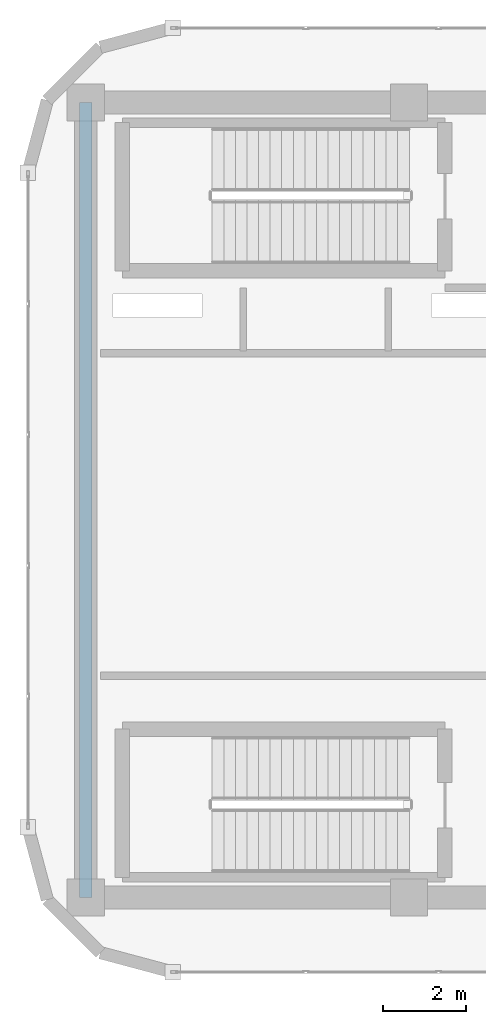
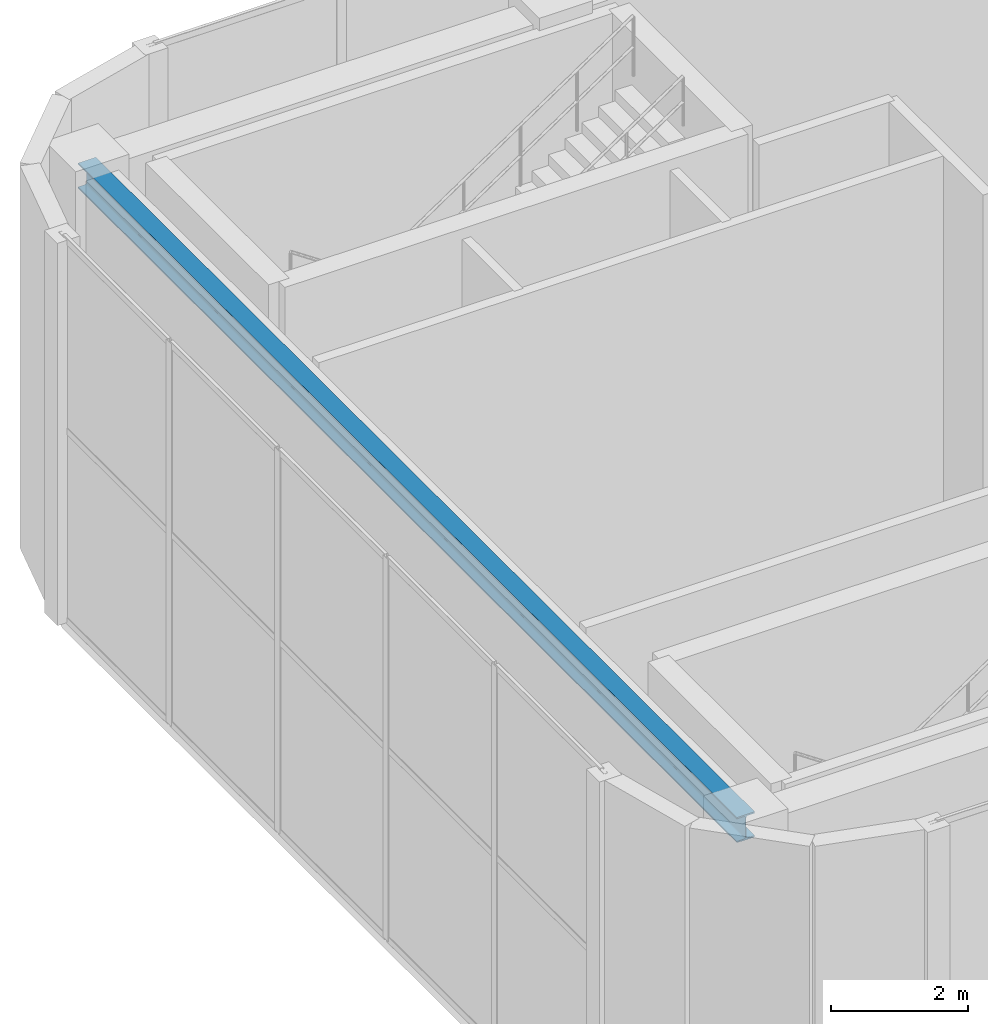
# One storey, part 6 of 23: 1 beam.
"""IFC4 building model written with IfcOpenShell, lengths in metres."""

from ifc_helpers import new_model, si_unit, direction, frame, origin, origin_2d, place, context, subcontext, project, spatial, i_section, extrude, material, material_profile, profile_set, type_object, element, save


model = new_model("IFC4")

# Units and contexts
model_context = context("Model", 3, precision=1e-05, world=origin(), true_north=direction((0.0, 1.0)))
body_context = subcontext(model_context, "Body", "Model", "MODEL_VIEW")
ifc_project = project(units=[si_unit("LENGTHUNIT", "METRE"), si_unit("AREAUNIT", "SQUARE_METRE"), si_unit("VOLUMEUNIT", "CUBIC_METRE"), si_unit("PLANEANGLEUNIT", "RADIAN"), si_unit("MASSUNIT", "GRAM", prefix="KILO")], contexts=[model_context])

# Site, building, storey
site_placement = place(None, origin())
site = spatial("IfcSite", under=ifc_project, at=site_placement, CompositionType="ELEMENT")
building_placement = place(site_placement, origin())
building = spatial("IfcBuilding", under=site, at=building_placement, Name="An Khanh Terracotta Commons", CompositionType="ELEMENT")
storey_placement = place(building_placement, frame((0.0, 0.0, 322.0)))
storey = spatial("IfcBuildingStorey", under=building, at=storey_placement, Name="L81 Crown Heat-Recovery Plant", CompositionType="ELEMENT", Elevation=322.0)

# Beam
ifc_material = material(Name="Steel S355J2", Category="steel")
ifc_material_profile = material_profile(ifc_material, i_section(OverallWidth=0.300048828125, OverallDepth=0.449951171875, WebThickness=0.013916015625, FlangeThickness=0.02587890625, FilletRadius=0.027099609375, at=origin_2d()), Name="HEB450")
ifc_profile_set = profile_set([ifc_material_profile], Name="Steel S355J2")
beam_type = type_object("IfcBeamType", Name="BM-HEB450", PredefinedType="BEAM", material=ifc_profile_set)
beam_placement = place(storey_placement, frame((21.60009765625, 14.39990234375, 6.35498046875), z_axis=(0.0, 1.0, 0.0), x_axis=(-1.0, 0.0, 0.0)))
element("IfcBeam", 1, at=beam_placement, inside=storey, type_object=beam_type, Name="L81 Crown Heat-Recovery Plant Core West Coupling Girder", PredefinedType="BEAM", context=body_context, shape_type="SweptSolid", body=[
    extrude(i_section(OverallWidth=0.300048828125, OverallDepth=0.449951171875, WebThickness=0.013916015625, FlangeThickness=0.02587890625, FilletRadius=0.027099609375, at=origin_2d()), origin(), (0.0, 0.0, 1.0), 19.2001953125),
])

save(model, "model.ifc")
